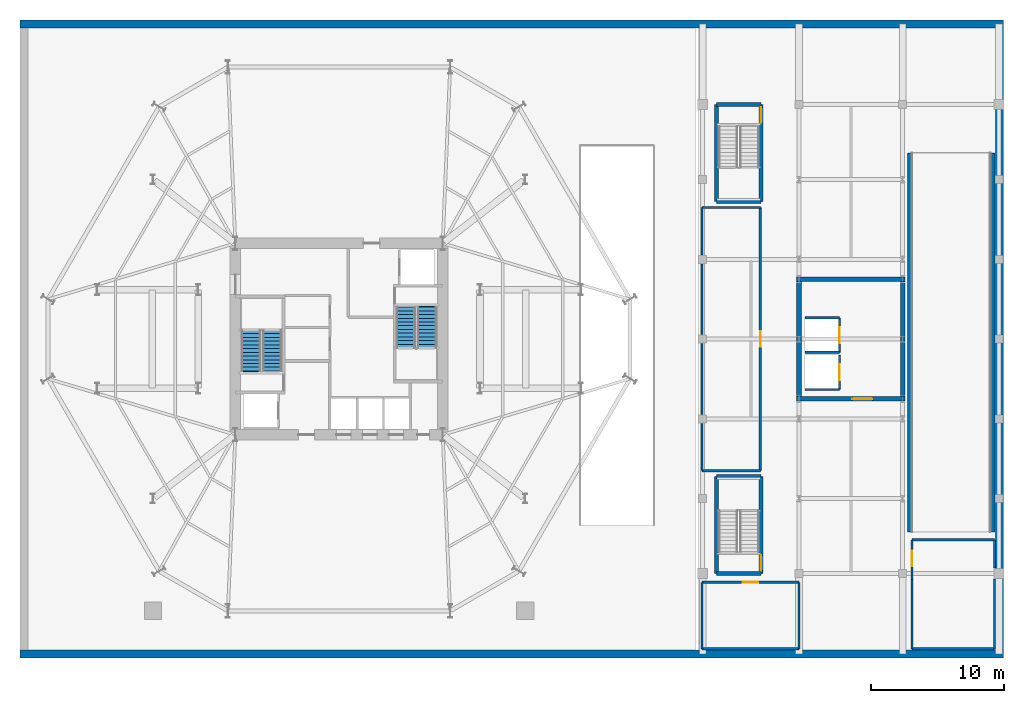
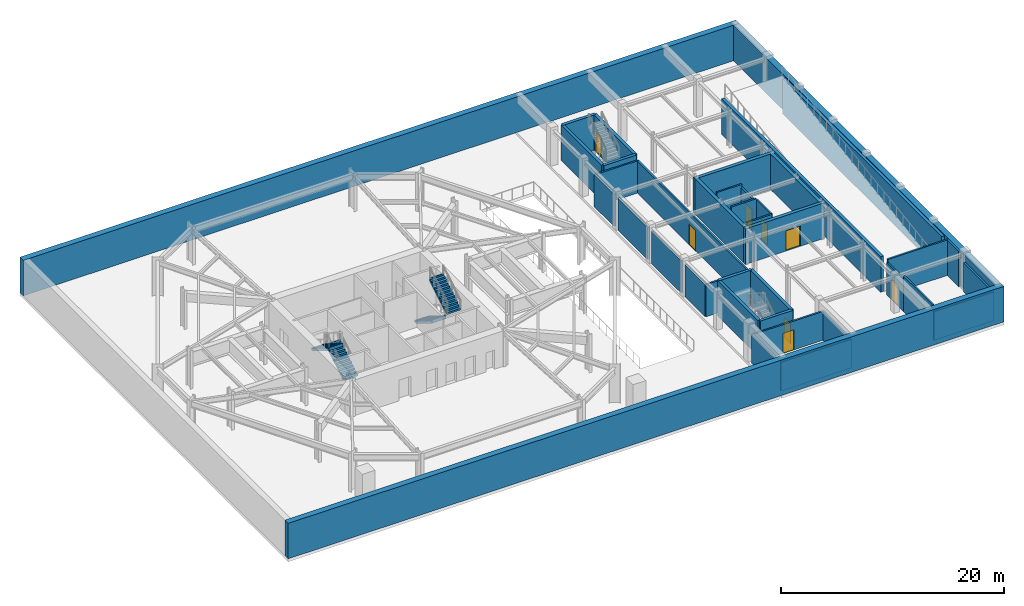
# One storey, part 8 of 12: 39 walls, 8 doors, 4 stair flights, 8 openings, 2 elements without a shape of their own.
"""IFC4 building model written with IfcOpenShell, lengths in metres."""

from ifc_helpers import new_model, si_unit, direction, frame, frame_2d, origin, place, context, subcontext, project, spatial, polyline, rectangle, outline, extrude, material, layer, layer_set, type_object, element, fill, aggregate, save


model = new_model("IFC4")

# Units and contexts
model_context = context("Model", 3, precision=1e-05, world=origin(), true_north=direction((0.0, 1.0)))
body_context = subcontext(model_context, "Body", "Model", "MODEL_VIEW")
ifc_project = project(units=[si_unit("LENGTHUNIT", "METRE"), si_unit("AREAUNIT", "SQUARE_METRE"), si_unit("VOLUMEUNIT", "CUBIC_METRE"), si_unit("PLANEANGLEUNIT", "RADIAN"), si_unit("MASSUNIT", "GRAM", prefix="KILO")], contexts=[model_context])

# Site, building, storey
site_placement = place(None, origin())
site = spatial("IfcSite", under=ifc_project, at=site_placement, CompositionType="ELEMENT")
building_placement = place(site_placement, origin())
building = spatial("IfcBuilding", under=site, at=building_placement, Name="Kranzbogen Civic Tower", CompositionType="ELEMENT")
storey_placement = place(building_placement, frame((0.0, 0.0, -4.199951171875)))
storey = spatial("IfcBuildingStorey", under=building, at=storey_placement, Name="B01", CompositionType="ELEMENT", Elevation=-4.199951171875)

# Walls
ifc_material_1 = material(Name="Concrete C45/55", Category="concrete")
ifc_layer_1 = layer(ifc_material_1, 0.60009765625, Name="Concrete C45/55")
ifc_layer_set_1 = layer_set([ifc_layer_1], Name="Concrete C45/55")
wall_type_1 = type_object("IfcWallType", Name="Basement Retaining Wall 600 mm", PredefinedType="USERDEFINED", material=ifc_layer_set_1)
for number, where, z_axis, x_axis, name in (
    (1, (1.0, 1.300048828125, 0.0), (0.0, 0.0, 1.0), (1.0, 0.0, 0.0), "B01 South basement retaining wall"),
    (2, (75.0, 48.699951171875, 0.0), (0.0, 0.0, 1.0), (-1.0, 0.0, 0.0), "B01 North basement retaining wall"),
):
    element("IfcWall", number, at=place(storey_placement, frame(where, z_axis=z_axis, x_axis=x_axis)), inside=storey, type_object=wall_type_1, Name=name, ObjectType="RETAINING_WALL", PredefinedType="USERDEFINED", context=body_context, shape_type="SweptSolid", body=[
        extrude(rectangle(XDim=74.0, YDim=0.60009765625, at=frame_2d((37.0, 0.0))), origin(), (0.0, 0.0, 1.0), 3.8798828125),
    ])
wall_1_placement = place(storey_placement, frame((74.699951171875, 1.60009765625, 0.0), z_axis=(0.0, 0.0, 1.0), x_axis=(0.0, 1.0, 0.0)))
element("IfcWall", 3, at=wall_1_placement, inside=storey, type_object=wall_type_1, Name="B01 East basement retaining wall", ObjectType="RETAINING_WALL", PredefinedType="USERDEFINED", context=body_context, shape_type="SweptSolid", body=[
    extrude(rectangle(XDim=46.7998046875, YDim=0.60009765625, at=frame_2d((23.39990234375, 0.0))), origin(), (0.0, 0.0, 1.0), 3.8798828125),
])

# Wall, opening, door
ifc_material_2 = material(Name="Gypsum Fireboard Shaftliner")
ifc_layer_2 = layer(ifc_material_2, 0.175048828125, Name="Gypsum Fireboard Shaftliner")
ifc_layer_set_2 = layer_set([ifc_layer_2], Name="Gypsum Fireboard Shaftliner")
wall_type_2 = type_object("IfcWallType", Name="Fire-Rated Lift and Service Shaft Wall 175 mm", PredefinedType="PARTITIONING", material=ifc_layer_set_2)
wall_2_placement = place(storey_placement, frame((62.64990234375, 21.199951171875, 0.0), z_axis=(0.0, 0.0, 1.0), x_axis=(0.0, 1.0, 0.0)))
wall_2 = element("IfcWall", 4, at=wall_2_placement, inside=storey, type_object=wall_type_2, Name="B01 lift HC-L1 landing wall", PredefinedType="PARTITIONING", context=body_context, shape_type="SweptSolid", body=[
    extrude(rectangle(XDim=2.60009765625, YDim=0.175048828125, at=frame_2d((1.300048828125, 0.0))), origin(), (0.0, 0.0, 1.0), 3.8798828125),
])
opening_1_placement = place(wall_2_placement, frame((0.699951171875, 0.0, 0.0)))
opening_1 = element("IfcOpeningElement", 5, at=opening_1_placement, cuts=wall_2, Name="Opening LD-HC-L1", PredefinedType="OPENING", context=body_context, shape_type="SweptSolid", body=[
    extrude(rectangle(XDim=1.199951171875, YDim=2.199951171875, at=frame_2d((0.60009765625, 1.10009765625))), frame((0.0, 0.09765625, 0.0), z_axis=(0.0, -1.0, 0.0), x_axis=(1.0, 0.0, 0.0)), (0.0, 0.0, 1.0), 0.195068359375),
])
ifc_material_3 = material(Name="Pale Anodised Aluminium", Category="aluminium")
door_type_1 = type_object("IfcDoorType", Name="Firefighting and Stretcher Lift Sliding Landing Door 1200x2200", OperationType="DOUBLE_DOOR_SLIDING", PredefinedType="DOOR", material=ifc_material_3)
door_1_placement = place(opening_1_placement, origin())
door_1 = element("IfcDoor", 6, at=door_1_placement, inside=storey, type_object=door_type_1, Name="B01 lift HC-L1 sliding landing door", OperationType="DOUBLE_DOOR_SLIDING", OverallHeight=2.199951171875, OverallWidth=1.199951171875, PredefinedType="DOOR", context=body_context, shape_type="SweptSolid", body=[
    extrude(rectangle(XDim=1.199951171875, YDim=2.199951171875, at=frame_2d((0.60009765625, 1.10009765625))), frame((0.0, 0.02490234375, 0.0), z_axis=(0.0, -1.0, 0.0), x_axis=(1.0, 0.0, 0.0)), (0.0, 0.0, 1.0), 0.050048828125),
])
fill(opening_1, door_1)

# Wall
wall_3_placement = place(storey_placement, frame((60.050048828125, 21.199951171875, 0.0), z_axis=(0.0, 0.0, 1.0), x_axis=(1.0, 0.0, 0.0)))
element("IfcWall", 7, at=wall_3_placement, inside=storey, type_object=wall_type_2, Name="B01 lift HC-L1 side wall", PredefinedType="PARTITIONING", context=body_context, shape_type="SweptSolid", body=[
    extrude(rectangle(XDim=2.599853515625, YDim=0.175048828125, at=frame_2d((1.2998046875, 0.0))), origin(), (0.0, 0.0, 1.0), 3.8798828125),
])

# Wall, opening, door
wall_4_placement = place(storey_placement, frame((62.64990234375, 24.0, 0.0), z_axis=(0.0, 0.0, 1.0), x_axis=(0.0, 1.0, 0.0)))
wall_4 = element("IfcWall", 8, at=wall_4_placement, inside=storey, type_object=wall_type_2, Name="B01 lift HC-L2 landing wall", PredefinedType="PARTITIONING", context=body_context, shape_type="SweptSolid", body=[
    extrude(rectangle(XDim=2.60009765625, YDim=0.175048828125, at=frame_2d((1.300048828125, 0.0))), origin(), (0.0, 0.0, 1.0), 3.52001953125),
])
opening_2_placement = place(wall_4_placement, frame((0.699951171875, 0.0, 0.0)))
opening_2 = element("IfcOpeningElement", 9, at=opening_2_placement, cuts=wall_4, Name="Opening LD-HC-L2", PredefinedType="OPENING", context=body_context, shape_type="SweptSolid", body=[
    extrude(rectangle(XDim=1.199951171875, YDim=2.199951171875, at=frame_2d((0.60009765625, 1.10009765625))), frame((0.0, 0.09765625, 0.0), z_axis=(0.0, -1.0, 0.0), x_axis=(1.0, 0.0, 0.0)), (0.0, 0.0, 1.0), 0.195068359375),
])
door_2_placement = place(opening_2_placement, origin())
door_2 = element("IfcDoor", 10, at=door_2_placement, inside=storey, type_object=door_type_1, Name="B01 lift HC-L2 sliding landing door", OperationType="DOUBLE_DOOR_SLIDING", OverallHeight=2.199951171875, OverallWidth=1.199951171875, PredefinedType="DOOR", context=body_context, shape_type="SweptSolid", body=[
    extrude(rectangle(XDim=1.199951171875, YDim=2.199951171875, at=frame_2d((0.60009765625, 1.10009765625))), frame((0.0, 0.02490234375, 0.0), z_axis=(0.0, -1.0, 0.0), x_axis=(1.0, 0.0, 0.0)), (0.0, 0.0, 1.0), 0.050048828125),
])
fill(opening_2, door_2)

# Walls
for number, where, z_axis, x_axis, name in (
    (11, (60.050048828125, 24.0, 0.0), (0.0, 0.0, 1.0), (1.0, 0.0, 0.0), "B01 lift HC-L2 side wall"),
    (12, (60.050048828125, 26.60009765625, 0.0), (0.0, 0.0, 1.0), (1.0, 0.0, 0.0), "B01 lift HC-L2 North shaft wall"),
):
    element("IfcWall", number, at=place(storey_placement, frame(where, z_axis=z_axis, x_axis=x_axis)), inside=storey, type_object=wall_type_2, Name=name, PredefinedType="PARTITIONING", context=body_context, shape_type="SweptSolid", body=[
        extrude(rectangle(XDim=2.599853515625, YDim=0.175048828125, at=frame_2d((1.2998046875, 0.0))), origin(), (0.0, 0.0, 1.0), 3.8798828125),
    ])
for number, where, z_axis, x_axis, name in (
    (13, (52.300048828125, 34.89990234375, 0.0), (0.0, 0.0, 1.0), (1.0, 0.0, 0.0), "B01 BIC North wall"),
    (14, (52.300048828125, 15.10009765625, 0.0), (0.0, 0.0, 1.0), (1.0, 0.0, 0.0), "B01 BIC South wall"),
):
    element("IfcWall", number, at=place(storey_placement, frame(where, z_axis=z_axis, x_axis=x_axis)), inside=storey, type_object=wall_type_2, Name=name, PredefinedType="PARTITIONING", context=body_context, shape_type="SweptSolid", body=[
        extrude(rectangle(XDim=4.39990234375, YDim=0.175048828125, at=frame_2d((2.199951171875, 0.0))), origin(), (0.0, 0.0, 1.0), 3.52001953125),
    ])
wall_5_placement = place(storey_placement, frame((52.300048828125, 15.10009765625, 0.0), z_axis=(0.0, 0.0, 1.0), x_axis=(0.0, 1.0, 0.0)))
element("IfcWall", 15, at=wall_5_placement, inside=storey, type_object=wall_type_2, Name="B01 BIC West wall part 1", PredefinedType="PARTITIONING", context=body_context, shape_type="SweptSolid", body=[
    extrude(rectangle(XDim=3.559814453125, YDim=0.175048828125, at=frame_2d((1.77978515625, 0.0))), origin(), (0.0, 0.0, 1.0), 3.52001953125),
])
for number, where, z_axis, x_axis, name in (
    (16, (52.300048828125, 19.340087890625, 0.0), (0.0, 0.0, 1.0), (0.0, 1.0, 0.0), "B01 BIC West wall part 2"),
    (17, (52.300048828125, 25.340087890625, 0.0), (0.0, 0.0, 1.0), (0.0, 1.0, 0.0), "B01 BIC West wall part 3"),
):
    element("IfcWall", number, at=place(storey_placement, frame(where, z_axis=z_axis, x_axis=x_axis)), inside=storey, type_object=wall_type_2, Name=name, PredefinedType="PARTITIONING", context=body_context, shape_type="SweptSolid", body=[
        extrude(rectangle(XDim=5.31982421875, YDim=0.175048828125, at=frame_2d((2.659912109375, 0.0))), origin(), (0.0, 0.0, 1.0), 3.52001953125),
    ])
wall_6_placement = place(storey_placement, frame((52.300048828125, 31.340087890625, 0.0), z_axis=(0.0, 0.0, 1.0), x_axis=(0.0, 1.0, 0.0)))
element("IfcWall", 18, at=wall_6_placement, inside=storey, type_object=wall_type_2, Name="B01 BIC West wall part 4", PredefinedType="PARTITIONING", context=body_context, shape_type="SweptSolid", body=[
    extrude(rectangle(XDim=3.559814453125, YDim=0.175048828125, at=frame_2d((1.77978515625, 0.0))), origin(), (0.0, 0.0, 1.0), 3.52001953125),
])

# Wall, opening, door
wall_7_placement = place(storey_placement, frame((56.699951171875, 15.10009765625, 0.0), z_axis=(0.0, 0.0, 1.0), x_axis=(0.0, 1.0, 0.0)))
wall_7 = element("IfcWall", 19, at=wall_7_placement, inside=storey, type_object=wall_type_2, Name="B01 BIC East wall", PredefinedType="PARTITIONING", context=body_context, shape_type="SweptSolid", body=[
    extrude(rectangle(XDim=19.7998046875, YDim=0.175048828125, at=frame_2d((9.89990234375, 0.0))), origin(), (0.0, 0.0, 1.0), 3.52001953125),
])
opening_3_placement = place(wall_7_placement, frame((9.324951171875, 0.0, 0.0)))
opening_3 = element("IfcOpeningElement", 20, at=opening_3_placement, cuts=wall_7, Name="Opening D-ST90", PredefinedType="OPENING", context=body_context, shape_type="SweptSolid", body=[
    extrude(rectangle(XDim=1.14990234375, YDim=2.199951171875, at=frame_2d((0.574951171875, 1.10009765625))), frame((0.0, 0.09765625, 0.0), z_axis=(0.0, -1.0, 0.0), x_axis=(1.0, 0.0, 0.0)), (0.0, 0.0, 1.0), 0.195068359375),
])
ifc_material_4 = material(Name="Steel S355", Category="steel")
door_type_2 = type_object("IfcDoorType", Name="Pressurized Stair and Lobby Fire Door 1150x2200", OperationType="NOTDEFINED", PredefinedType="DOOR", material=ifc_material_4)
door_3_placement = place(opening_3_placement, origin())
door_3 = element("IfcDoor", 21, at=door_3_placement, inside=storey, type_object=door_type_2, Name="B01 BIC plant access door", OperationType="SINGLE_SWING_LEFT", OverallHeight=2.199951171875, OverallWidth=1.14990234375, PredefinedType="DOOR", context=body_context, shape_type="SweptSolid", body=[
    extrude(rectangle(XDim=1.14990234375, YDim=2.199951171875, at=frame_2d((0.574951171875, 1.10009765625))), frame((0.0, 0.02490234375, 0.0), z_axis=(0.0, -1.0, 0.0), x_axis=(1.0, 0.0, 0.0)), (0.0, 0.0, 1.0), 0.050048828125),
])
fill(opening_3, door_3)

wall_8_placement = place(storey_placement, frame((52.300048828125, 6.699951171875, 0.0), z_axis=(0.0, 0.0, 1.0), x_axis=(1.0, 0.0, 0.0)))
wall_8 = element("IfcWall", 22, at=wall_8_placement, inside=storey, type_object=wall_type_2, Name="B01 SWG North wall", PredefinedType="PARTITIONING", context=body_context, shape_type="SweptSolid", body=[
    extrude(rectangle(XDim=7.300048828125, YDim=0.175048828125, at=frame_2d((3.64990234375, 0.0))), origin(), (0.0, 0.0, 1.0), 3.14990234375),
])
opening_4_placement = place(wall_8_placement, frame((3.074951171875, 0.0, 0.0)))
opening_4 = element("IfcOpeningElement", 23, at=opening_4_placement, cuts=wall_8, Name="Opening D-ST90", PredefinedType="OPENING", context=body_context, shape_type="SweptSolid", body=[
    extrude(rectangle(XDim=1.14990234375, YDim=2.199951171875, at=frame_2d((0.574951171875, 1.10009765625))), frame((0.0, 0.09765625, 0.0), z_axis=(0.0, -1.0, 0.0), x_axis=(1.0, 0.0, 0.0)), (0.0, 0.0, 1.0), 0.195068359375),
])
door_4_placement = place(opening_4_placement, origin())
door_4 = element("IfcDoor", 24, at=door_4_placement, inside=storey, type_object=door_type_2, Name="B01 SWG plant access door", OperationType="SINGLE_SWING_RIGHT", OverallHeight=2.199951171875, OverallWidth=1.14990234375, PredefinedType="DOOR", context=body_context, shape_type="SweptSolid", body=[
    extrude(rectangle(XDim=1.14990234375, YDim=2.199951171875, at=frame_2d((0.574951171875, 1.10009765625))), frame((0.0, 0.02490234375, 0.0), z_axis=(0.0, -1.0, 0.0), x_axis=(1.0, 0.0, 0.0)), (0.0, 0.0, 1.0), 0.050048828125),
])
fill(opening_4, door_4)

# Walls
wall_9_placement = place(storey_placement, frame((52.300048828125, 1.68994140625, 0.0), z_axis=(0.0, 0.0, 1.0), x_axis=(1.0, 0.0, 0.0)))
element("IfcWall", 25, at=wall_9_placement, inside=storey, type_object=wall_type_2, Name="B01 SWG South wall", PredefinedType="PARTITIONING", context=body_context, shape_type="SweptSolid", body=[
    extrude(rectangle(XDim=7.300048828125, YDim=0.175048828125, at=frame_2d((3.64990234375, 0.0))), origin(), (0.0, 0.0, 1.0), 3.14990234375),
])
for number, where, z_axis, x_axis, name in (
    (26, (52.300048828125, 1.68994140625, 0.0), (0.0, 0.0, 1.0), (0.0, 1.0, 0.0), "B01 SWG West wall"),
    (27, (59.60009765625, 1.68994140625, 0.0), (0.0, 0.0, 1.0), (0.0, 1.0, 0.0), "B01 SWG East wall"),
):
    element("IfcWall", number, at=place(storey_placement, frame(where, z_axis=z_axis, x_axis=x_axis)), inside=storey, type_object=wall_type_2, Name=name, PredefinedType="PARTITIONING", context=body_context, shape_type="SweptSolid", body=[
        extrude(rectangle(XDim=5.010009765625, YDim=0.175048828125, at=frame_2d((2.5048828125, 0.0))), origin(), (0.0, 0.0, 1.0), 3.14990234375),
    ])
wall_10_placement = place(storey_placement, frame((68.10009765625, 9.89990234375, 0.0), z_axis=(0.0, 0.0, 1.0), x_axis=(1.0, 0.0, 0.0)))
element("IfcWall", 28, at=wall_10_placement, inside=storey, type_object=wall_type_2, Name="B01 WST North wall", PredefinedType="PARTITIONING", context=body_context, shape_type="SweptSolid", body=[
    extrude(rectangle(XDim=6.2099609375, YDim=0.175048828125, at=frame_2d((3.10498046875, 0.0))), origin(), (0.0, 0.0, 1.0), 3.8798828125),
])
wall_11_placement = place(storey_placement, frame((68.10009765625, 1.68994140625, 0.0), z_axis=(0.0, 0.0, 1.0), x_axis=(1.0, 0.0, 0.0)))
element("IfcWall", 29, at=wall_11_placement, inside=storey, type_object=wall_type_2, Name="B01 WST South wall", PredefinedType="PARTITIONING", context=body_context, shape_type="SweptSolid", body=[
    extrude(rectangle(XDim=6.2099609375, YDim=0.175048828125, at=frame_2d((3.10498046875, 0.0))), origin(), (0.0, 0.0, 1.0), 3.14990234375),
])
wall_12_placement = place(storey_placement, frame((68.10009765625, 1.68994140625, 0.0), z_axis=(0.0, 0.0, 1.0), x_axis=(0.0, 1.0, 0.0)))
element("IfcWall", 30, at=wall_12_placement, inside=storey, type_object=wall_type_2, Name="B01 WST West wall", PredefinedType="PARTITIONING", context=body_context, shape_type="SweptSolid", body=[
    extrude(rectangle(XDim=5.2099609375, YDim=0.175048828125, at=frame_2d((2.60498046875, 0.0))), origin(), (0.0, 0.0, 1.0), 3.8798828125),
])
wall_13_placement = place(storey_placement, frame((74.31005859375, 1.68994140625, 0.0), z_axis=(0.0, 0.0, 1.0), x_axis=(0.0, 1.0, 0.0)))
element("IfcWall", 31, at=wall_13_placement, inside=storey, type_object=wall_type_2, Name="B01 WST East wall part 1", PredefinedType="PARTITIONING", context=body_context, shape_type="SweptSolid", body=[
    extrude(rectangle(XDim=5.2451171875, YDim=0.175048828125, at=frame_2d((2.62255859375, 0.0))), origin(), (0.0, 0.0, 1.0), 3.14990234375),
])
wall_14_placement = place(storey_placement, frame((74.31005859375, 7.764892578125, 0.0), z_axis=(0.0, 0.0, 1.0), x_axis=(0.0, 1.0, 0.0)))
element("IfcWall", 32, at=wall_14_placement, inside=storey, type_object=wall_type_2, Name="B01 WST East wall part 2", PredefinedType="PARTITIONING", context=body_context, shape_type="SweptSolid", body=[
    extrude(rectangle(XDim=2.135009765625, YDim=0.175048828125, at=frame_2d((1.0673828125, 0.0))), origin(), (0.0, 0.0, 1.0), 3.8798828125),
])

# Wall, opening, door
wall_15_placement = place(storey_placement, frame((68.10009765625, 6.89990234375, 0.0), z_axis=(0.0, 0.0, 1.0), x_axis=(0.0, 1.0, 0.0)))
wall_15 = element("IfcWall", 33, at=wall_15_placement, inside=storey, type_object=wall_type_2, Name="B01 WST aisle wall", PredefinedType="PARTITIONING", context=body_context, shape_type="SweptSolid", body=[
    extrude(rectangle(XDim=3.0, YDim=0.175048828125, at=frame_2d((1.5, 0.0))), origin(), (0.0, 0.0, 1.0), 3.52001953125),
])
opening_5_placement = place(wall_15_placement, frame((1.006103515625, 0.0, 0.0)))
opening_5 = element("IfcOpeningElement", 34, at=opening_5_placement, cuts=wall_15, Name="Opening D-ST90", PredefinedType="OPENING", context=body_context, shape_type="SweptSolid", body=[
    extrude(rectangle(XDim=1.14990234375, YDim=2.199951171875, at=frame_2d((0.574951171875, 1.10009765625))), frame((0.0, 0.09765625, 0.0), z_axis=(0.0, -1.0, 0.0), x_axis=(1.0, 0.0, 0.0)), (0.0, 0.0, 1.0), 0.195068359375),
])
door_5_placement = place(opening_5_placement, origin())
door_5 = element("IfcDoor", 35, at=door_5_placement, inside=storey, type_object=door_type_2, Name="B01 WST plant access door", OperationType="SINGLE_SWING_LEFT", OverallHeight=2.199951171875, OverallWidth=1.14990234375, PredefinedType="DOOR", context=body_context, shape_type="SweptSolid", body=[
    extrude(rectangle(XDim=1.14990234375, YDim=2.199951171875, at=frame_2d((0.574951171875, 1.10009765625))), frame((0.0, 0.02490234375, 0.0), z_axis=(0.0, -1.0, 0.0), x_axis=(1.0, 0.0, 0.0)), (0.0, 0.0, 1.0), 0.050048828125),
])
fill(opening_5, door_5)

ifc_material_5 = material(Name="Concrete C40/50", Category="concrete")
ifc_layer_3 = layer(ifc_material_5, 0.35009765625, Name="Concrete C40/50")
ifc_layer_set_3 = layer_set([ifc_layer_3], Name="Concrete C40/50")
wall_type_3 = type_object("IfcWallType", Name="Health Centre Core Shear Wall 350 mm", PredefinedType="SHEAR", material=ifc_layer_set_3)
wall_16_placement = place(storey_placement, frame((59.425048828125, 20.5, 0.0), z_axis=(0.0, 0.0, 1.0), x_axis=(1.0, 0.0, 0.0)))
wall_16 = element("IfcWall", 36, at=wall_16_placement, inside=storey, type_object=wall_type_3, Name="B01 Health Centre core South shear wall", PredefinedType="SHEAR", context=body_context, shape_type="SweptSolid", body=[
    extrude(rectangle(XDim=8.14990234375, YDim=0.35009765625, at=frame_2d((4.074951171875, 0.0))), origin(), (0.0, 0.0, 1.0), 3.8798828125),
])
opening_6_placement = place(wall_16_placement, frame((4.199951171875, 0.0, 0.0)))
opening_6 = element("IfcOpeningElement", 37, at=opening_6_placement, cuts=wall_16, Name="Opening D-DBL15", PredefinedType="OPENING", context=body_context, shape_type="SweptSolid", body=[
    extrude(rectangle(XDim=1.5, YDim=2.199951171875, at=frame_2d((0.75, 1.10009765625))), frame((0.0, 0.18505859375, 0.0), z_axis=(0.0, -1.0, 0.0), x_axis=(1.0, 0.0, 0.0)), (0.0, 0.0, 1.0), 0.3701171875),
])
ifc_material_6 = material(Name="Anodised Bronze and Glass", Category="glass")
door_type_3 = type_object("IfcDoorType", Name="Civic Lobby Double Door 1500x2200", OperationType="DOUBLE_DOOR_SINGLE_SWING", PredefinedType="DOOR", material=ifc_material_6)
door_6_placement = place(opening_6_placement, origin())
door_6 = element("IfcDoor", 38, at=door_6_placement, inside=storey, type_object=door_type_3, Name="B01 Health Centre Lift Lobby door", OperationType="DOUBLE_DOOR_SINGLE_SWING", OverallHeight=2.199951171875, OverallWidth=1.5, PredefinedType="DOOR", context=body_context, shape_type="SweptSolid", body=[
    extrude(rectangle(XDim=1.5, YDim=2.199951171875, at=frame_2d((0.75, 1.10009765625))), frame((0.0, 0.02490234375, 0.0), z_axis=(0.0, -1.0, 0.0), x_axis=(1.0, 0.0, 0.0)), (0.0, 0.0, 1.0), 0.050048828125),
])
fill(opening_6, door_6)

# Walls
wall_17_placement = place(storey_placement, frame((67.574951171875, 29.5, 0.0), z_axis=(0.0, 0.0, 1.0), x_axis=(-1.0, 0.0, 0.0)))
element("IfcWall", 39, at=wall_17_placement, inside=storey, type_object=wall_type_3, Name="B01 Health Centre core North shear wall", PredefinedType="SHEAR", context=body_context, shape_type="SweptSolid", body=[
    extrude(rectangle(XDim=8.14990234375, YDim=0.35009765625, at=frame_2d((4.074951171875, 0.0))), origin(), (0.0, 0.0, 1.0), 3.8798828125),
])
for number, where, z_axis, x_axis, name in (
    (40, (59.60009765625, 29.324951171875, 0.0), (0.0, 0.0, 1.0), (0.0, -1.0, 0.0), "B01 Health Centre core West shear wall"),
    (41, (67.39990234375, 20.675048828125, 0.0), (0.0, 0.0, 1.0), (0.0, 1.0, 0.0), "B01 Health Centre core East shear wall"),
):
    element("IfcWall", number, at=place(storey_placement, frame(where, z_axis=z_axis, x_axis=x_axis)), inside=storey, type_object=wall_type_3, Name=name, PredefinedType="SHEAR", context=body_context, shape_type="SweptSolid", body=[
        extrude(rectangle(XDim=8.64990234375, YDim=0.35009765625, at=frame_2d((4.324951171875, 0.0))), origin(), (0.0, 0.0, 1.0), 3.8798828125),
    ])
ifc_layer_4 = layer(ifc_material_5, 0.300048828125, Name="Concrete C40/50")
ifc_layer_set_4 = layer_set([ifc_layer_4], Name="Concrete C40/50")
wall_type_4 = type_object("IfcWallType", Name="Structural Ramp and Stair Shaft Wall 300 mm", PredefinedType="SOLIDWALL", material=ifc_layer_set_4)
for number, where, z_axis, x_axis, name in (
    (42, (67.89990234375, 10.5, 0.0), (0.0, 0.0, 1.0), (0.0, 1.0, 0.0), "B01 vehicle ramp West shaft wall"),
    (43, (74.199951171875, 10.5, 0.0), (0.0, 0.0, 1.0), (0.0, 1.0, 0.0), "B01 vehicle ramp East shaft wall"),
):
    element("IfcWall", number, at=place(storey_placement, frame(where, z_axis=z_axis, x_axis=x_axis)), inside=storey, type_object=wall_type_4, Name=name, PredefinedType="SOLIDWALL", context=body_context, shape_type="SweptSolid", body=[
        extrude(rectangle(XDim=28.5, YDim=0.300048828125, at=frame_2d((14.25, 0.0))), origin(), (0.0, 0.0, 1.0), 3.8798828125),
    ])

# Wall, opening, door
wall_18_placement = place(storey_placement, frame((56.75, 7.35009765625, 0.0), z_axis=(0.0, 0.0, 1.0), x_axis=(0.0, 1.0, 0.0)))
wall_18 = element("IfcWall", 44, at=wall_18_placement, inside=storey, type_object=wall_type_4, Name="B01 STH1 E structural stair wall", PredefinedType="SOLIDWALL", context=body_context, shape_type="SweptSolid", body=[
    extrude(rectangle(XDim=7.2998046875, YDim=0.300048828125, at=frame_2d((3.64990234375, 0.0))), origin(), (0.0, 0.0, 1.0), 3.8798828125),
])
opening_7_placement = place(wall_18_placement, frame((0.219970703125, 0.0, 0.0)))
opening_7 = element("IfcOpeningElement", 45, at=opening_7_placement, cuts=wall_18, Name="Opening D-ST90", PredefinedType="OPENING", context=body_context, shape_type="SweptSolid", body=[
    extrude(rectangle(XDim=1.14990234375, YDim=2.199951171875, at=frame_2d((0.574951171875, 1.10009765625))), frame((0.0, 0.16015625, 0.0), z_axis=(0.0, -1.0, 0.0), x_axis=(1.0, 0.0, 0.0)), (0.0, 0.0, 1.0), 0.320068359375),
])
door_7_placement = place(opening_7_placement, origin())
door_7 = element("IfcDoor", 46, at=door_7_placement, inside=storey, type_object=door_type_2, Name="B01 Health Centre Stair 1 fire door", OperationType="SINGLE_SWING_LEFT", OverallHeight=2.199951171875, OverallWidth=1.14990234375, PredefinedType="DOOR", context=body_context, shape_type="SweptSolid", body=[
    extrude(rectangle(XDim=1.14990234375, YDim=2.199951171875, at=frame_2d((0.574951171875, 1.10009765625))), frame((0.0, 0.02490234375, 0.0), z_axis=(0.0, -1.0, 0.0), x_axis=(1.0, 0.0, 0.0)), (0.0, 0.0, 1.0), 0.050048828125),
])
fill(opening_7, door_7)

# Walls
wall_19_placement = place(storey_placement, frame((53.39990234375, 7.35009765625, 0.0), z_axis=(0.0, 0.0, 1.0), x_axis=(0.0, 1.0, 0.0)))
element("IfcWall", 47, at=wall_19_placement, inside=storey, type_object=wall_type_4, Name="B01 STH1 W structural stair wall", PredefinedType="SOLIDWALL", context=body_context, shape_type="SweptSolid", body=[
    extrude(rectangle(XDim=7.2998046875, YDim=0.300048828125, at=frame_2d((3.64990234375, 0.0))), origin(), (0.0, 0.0, 1.0), 3.8798828125),
])
for number, where, z_axis, x_axis, name in (
    (48, (53.39990234375, 14.64990234375, 0.0), (0.0, 0.0, 1.0), (1.0, 0.0, 0.0), "B01 STH1 N structural stair wall"),
    (49, (53.39990234375, 7.35009765625, 0.0), (0.0, 0.0, 1.0), (1.0, 0.0, 0.0), "B01 STH1 S structural stair wall"),
):
    element("IfcWall", number, at=place(storey_placement, frame(where, z_axis=z_axis, x_axis=x_axis)), inside=storey, type_object=wall_type_4, Name=name, PredefinedType="SOLIDWALL", context=body_context, shape_type="SweptSolid", body=[
        extrude(rectangle(XDim=3.35009765625, YDim=0.300048828125, at=frame_2d((1.675048828125, 0.0))), origin(), (0.0, 0.0, 1.0), 3.8798828125),
    ])

# Wall, opening, door
wall_20_placement = place(storey_placement, frame((56.75, 35.35009765625, 0.0), z_axis=(0.0, 0.0, 1.0), x_axis=(0.0, 1.0, 0.0)))
wall_20 = element("IfcWall", 50, at=wall_20_placement, inside=storey, type_object=wall_type_4, Name="B01 STH2 E structural stair wall", PredefinedType="SOLIDWALL", context=body_context, shape_type="SweptSolid", body=[
    extrude(rectangle(XDim=7.2998046875, YDim=0.300048828125, at=frame_2d((3.64990234375, 0.0))), origin(), (0.0, 0.0, 1.0), 3.8798828125),
])
opening_8_placement = place(wall_20_placement, frame((5.919921875, 0.0, 0.0)))
opening_8 = element("IfcOpeningElement", 51, at=opening_8_placement, cuts=wall_20, Name="Opening D-ST90", PredefinedType="OPENING", context=body_context, shape_type="SweptSolid", body=[
    extrude(rectangle(XDim=1.14990234375, YDim=2.199951171875, at=frame_2d((0.574951171875, 1.10009765625))), frame((0.0, 0.16015625, 0.0), z_axis=(0.0, -1.0, 0.0), x_axis=(1.0, 0.0, 0.0)), (0.0, 0.0, 1.0), 0.320068359375),
])
door_8_placement = place(opening_8_placement, origin())
door_8 = element("IfcDoor", 52, at=door_8_placement, inside=storey, type_object=door_type_2, Name="B01 Health Centre Stair 2 fire door", OperationType="SINGLE_SWING_RIGHT", OverallHeight=2.199951171875, OverallWidth=1.14990234375, PredefinedType="DOOR", context=body_context, shape_type="SweptSolid", body=[
    extrude(rectangle(XDim=1.14990234375, YDim=2.199951171875, at=frame_2d((0.574951171875, 1.10009765625))), frame((0.0, 0.02490234375, 0.0), z_axis=(0.0, -1.0, 0.0), x_axis=(1.0, 0.0, 0.0)), (0.0, 0.0, 1.0), 0.050048828125),
])
fill(opening_8, door_8)

# Walls
wall_21_placement = place(storey_placement, frame((53.39990234375, 35.35009765625, 0.0), z_axis=(0.0, 0.0, 1.0), x_axis=(0.0, 1.0, 0.0)))
element("IfcWall", 53, at=wall_21_placement, inside=storey, type_object=wall_type_4, Name="B01 STH2 W structural stair wall", PredefinedType="SOLIDWALL", context=body_context, shape_type="SweptSolid", body=[
    extrude(rectangle(XDim=7.2998046875, YDim=0.300048828125, at=frame_2d((3.64990234375, 0.0))), origin(), (0.0, 0.0, 1.0), 3.8798828125),
])
for number, where, z_axis, x_axis, name in (
    (54, (53.39990234375, 35.35009765625, 0.0), (0.0, 0.0, 1.0), (1.0, 0.0, 0.0), "B01 STH2 S structural stair wall"),
    (55, (53.39990234375, 42.64990234375, 0.0), (0.0, 0.0, 1.0), (1.0, 0.0, 0.0), "B01 STH2 N structural stair wall"),
):
    element("IfcWall", number, at=place(storey_placement, frame(where, z_axis=z_axis, x_axis=x_axis)), inside=storey, type_object=wall_type_4, Name=name, PredefinedType="SOLIDWALL", context=body_context, shape_type="SweptSolid", body=[
        extrude(rectangle(XDim=3.35009765625, YDim=0.300048828125, at=frame_2d((1.675048828125, 0.0))), origin(), (0.0, 0.0, 1.0), 3.8798828125),
    ])

# Stair, stair flights
ifc_material_7 = material(Name="Precast concrete C40/50", Category="concrete")
stair_type_1 = type_object("IfcStairType", Name="Tower Core Pressurized Dogleg Stair 1450", PredefinedType="HALF_TURN_STAIR", material=ifc_material_7)
stair_1_placement = place(storey_placement, origin())
stair_1 = element("IfcStair", 56, at=stair_1_placement, inside=storey, type_object=stair_type_1, Name="B01 Tower Core Pressurized Stair 1", PredefinedType="HALF_TURN_STAIR")
stair_flight_type = type_object("IfcStairFlightType", Name="Precast Concrete Stair Flight R175", PredefinedType="STRAIGHT", material=ifc_material_7)
stair_flight_1_placement = place(storey_placement, frame((19.97509765625, 22.60009765625, 0.0), z_axis=(0.0, 0.0, 1.0), x_axis=(0.0, 1.0, 0.0)))
stair_flight_1 = element("IfcStairFlight", 57, at=stair_flight_1_placement, type_object=stair_flight_type, Name="ST-T1 flight 1", NumberOfRisers=12, NumberOfTreads=11, PredefinedType="STRAIGHT", RiserHeight=0.175, TreadLength=0.28, context=body_context, shape_type="SweptSolid", body=[
    extrude(outline(polyline([(0.0, 0.0), (0.0, 0.175048828125), (0.280029296875, 0.175048828125), (0.280029296875, 0.35009765625), (0.56005859375, 0.35009765625), (0.56005859375, 0.52490234375), (0.840087890625, 0.52490234375), (0.840087890625, 0.699951171875), (1.1201171875, 0.699951171875), (1.1201171875, 0.875), (1.39990234375, 0.875), (1.39990234375, 1.050048828125), (1.679931640625, 1.050048828125), (1.679931640625, 1.22509765625), (1.9599609375, 1.22509765625), (1.9599609375, 1.39990234375), (2.239990234375, 1.39990234375), (2.239990234375, 1.574951171875), (2.52001953125, 1.574951171875), (2.52001953125, 1.75), (2.800048828125, 1.75), (2.800048828125, 1.925048828125), (3.080078125, 1.925048828125), (3.080078125, 2.10009765625), (3.16015625, 2.10009765625), (3.16015625, 1.748291015625), (0.28271484375, 0.0), (0.0, 0.0)])), frame((0.0, 0.72509765625, 0.0), z_axis=(0.0, -1.0, 0.0), x_axis=(1.0, 0.0, 0.0)), (0.0, 0.0, 1.0), 1.449951171875),
])
stair_flight_2_placement = place(storey_placement, frame((18.375, 25.679931640625, 2.099853515625), z_axis=(0.0, 0.0, 1.0), x_axis=(0.0, -1.0, 0.0)))
stair_flight_2 = element("IfcStairFlight", 58, at=stair_flight_2_placement, type_object=stair_flight_type, Name="ST-T1 flight 2", NumberOfRisers=12, NumberOfTreads=11, PredefinedType="STRAIGHT", RiserHeight=0.175, TreadLength=0.28, context=body_context, shape_type="SweptSolid", body=[
    extrude(outline(polyline([(0.0, 0.0), (0.0, 0.175048828125), (0.280029296875, 0.175048828125), (0.280029296875, 0.35009765625), (0.56005859375, 0.35009765625), (0.56005859375, 0.52490234375), (0.840087890625, 0.52490234375), (0.840087890625, 0.699951171875), (1.1201171875, 0.699951171875), (1.1201171875, 0.875), (1.39990234375, 0.875), (1.39990234375, 1.050048828125), (1.679931640625, 1.050048828125), (1.679931640625, 1.22509765625), (1.9599609375, 1.22509765625), (1.9599609375, 1.39990234375), (2.239990234375, 1.39990234375), (2.239990234375, 1.574951171875), (2.52001953125, 1.574951171875), (2.52001953125, 1.75), (2.800048828125, 1.75), (2.800048828125, 1.925048828125), (3.080078125, 1.925048828125), (3.080078125, 2.10009765625), (3.16015625, 2.10009765625), (3.16015625, 1.748291015625), (0.28271484375, 0.0), (0.0, 0.0)])), frame((0.0, 0.72509765625, 0.0), z_axis=(0.0, -1.0, 0.0), x_axis=(1.0, 0.0, 0.0)), (0.0, 0.0, 1.0), 1.449951171875),
])
aggregate(stair_1, [stair_flight_1, stair_flight_2])

stair_type_2 = type_object("IfcStairType", Name="Tower Core Secondary Dogleg Stair 1450", PredefinedType="HALF_TURN_STAIR", material=ifc_material_7)
stair_2_placement = place(storey_placement, origin())
stair_2 = element("IfcStair", 59, at=stair_2_placement, inside=storey, type_object=stair_type_2, Name="B01 Tower Core Pressurized Stair 2", PredefinedType="HALF_TURN_STAIR")
stair_flight_3_placement = place(storey_placement, frame((30.02490234375, 27.39990234375, 0.0), z_axis=(0.0, 0.0, 1.0), x_axis=(0.0, -1.0, 0.0)))
stair_flight_3 = element("IfcStairFlight", 60, at=stair_flight_3_placement, type_object=stair_flight_type, Name="ST-T2 flight 1", NumberOfRisers=12, NumberOfTreads=11, PredefinedType="STRAIGHT", RiserHeight=0.175, TreadLength=0.28, context=body_context, shape_type="SweptSolid", body=[
    extrude(outline(polyline([(0.0, 0.0), (0.0, 0.175048828125), (0.280029296875, 0.175048828125), (0.280029296875, 0.35009765625), (0.56005859375, 0.35009765625), (0.56005859375, 0.52490234375), (0.840087890625, 0.52490234375), (0.840087890625, 0.699951171875), (1.1201171875, 0.699951171875), (1.1201171875, 0.875), (1.39990234375, 0.875), (1.39990234375, 1.050048828125), (1.679931640625, 1.050048828125), (1.679931640625, 1.22509765625), (1.9599609375, 1.22509765625), (1.9599609375, 1.39990234375), (2.239990234375, 1.39990234375), (2.239990234375, 1.574951171875), (2.52001953125, 1.574951171875), (2.52001953125, 1.75), (2.800048828125, 1.75), (2.800048828125, 1.925048828125), (3.080078125, 1.925048828125), (3.080078125, 2.10009765625), (3.16015625, 2.10009765625), (3.16015625, 1.748291015625), (0.28271484375, 0.0), (0.0, 0.0)])), frame((0.0, 0.72509765625, 0.0), z_axis=(0.0, -1.0, 0.0), x_axis=(1.0, 0.0, 0.0)), (0.0, 0.0, 1.0), 1.449951171875),
])
stair_flight_4_placement = place(storey_placement, frame((31.625, 24.320068359375, 2.099853515625), z_axis=(0.0, 0.0, 1.0), x_axis=(0.0, 1.0, 0.0)))
stair_flight_4 = element("IfcStairFlight", 61, at=stair_flight_4_placement, type_object=stair_flight_type, Name="ST-T2 flight 2", NumberOfRisers=12, NumberOfTreads=11, PredefinedType="STRAIGHT", RiserHeight=0.175, TreadLength=0.28, context=body_context, shape_type="SweptSolid", body=[
    extrude(outline(polyline([(0.0, 0.0), (0.0, 0.175048828125), (0.280029296875, 0.175048828125), (0.280029296875, 0.35009765625), (0.56005859375, 0.35009765625), (0.56005859375, 0.52490234375), (0.840087890625, 0.52490234375), (0.840087890625, 0.699951171875), (1.1201171875, 0.699951171875), (1.1201171875, 0.875), (1.39990234375, 0.875), (1.39990234375, 1.050048828125), (1.679931640625, 1.050048828125), (1.679931640625, 1.22509765625), (1.9599609375, 1.22509765625), (1.9599609375, 1.39990234375), (2.239990234375, 1.39990234375), (2.239990234375, 1.574951171875), (2.52001953125, 1.574951171875), (2.52001953125, 1.75), (2.800048828125, 1.75), (2.800048828125, 1.925048828125), (3.080078125, 1.925048828125), (3.080078125, 2.10009765625), (3.16015625, 2.10009765625), (3.16015625, 1.748291015625), (0.28271484375, 0.0), (0.0, 0.0)])), frame((0.0, 0.72509765625, 0.0), z_axis=(0.0, -1.0, 0.0), x_axis=(1.0, 0.0, 0.0)), (0.0, 0.0, 1.0), 1.449951171875),
])
aggregate(stair_2, [stair_flight_3, stair_flight_4])

save(model, "model.ifc")
